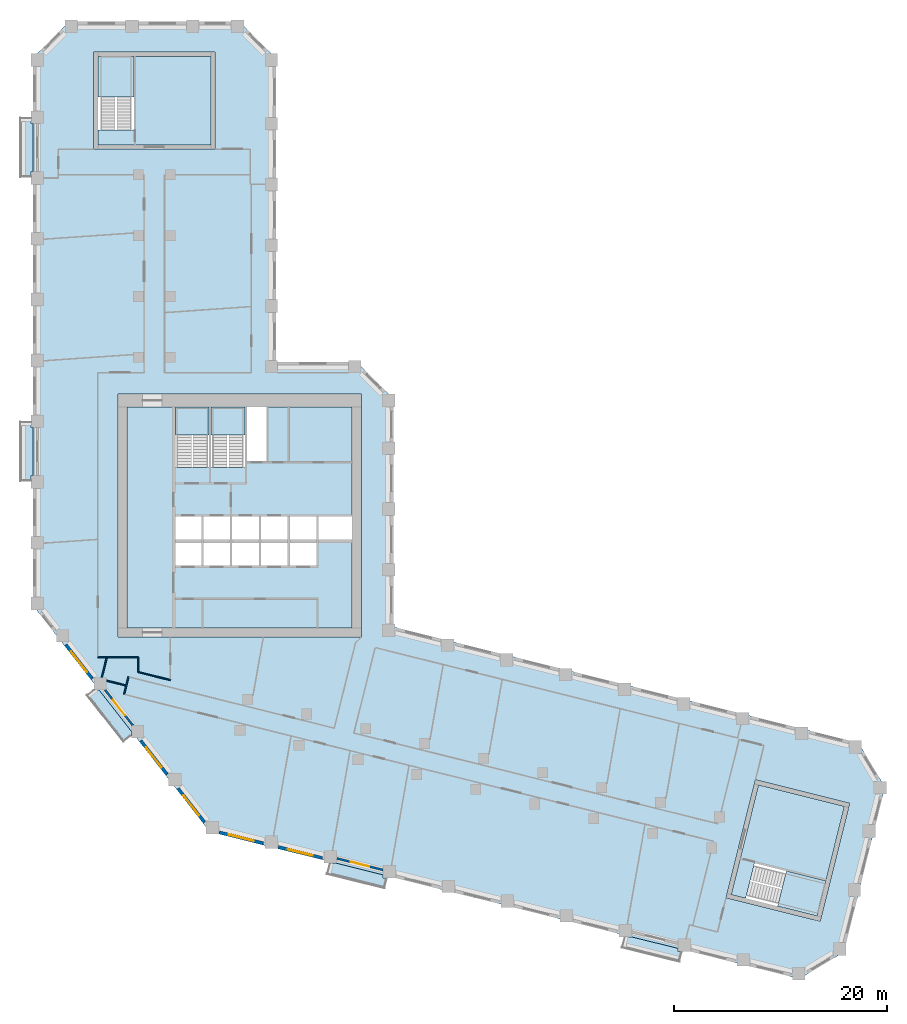
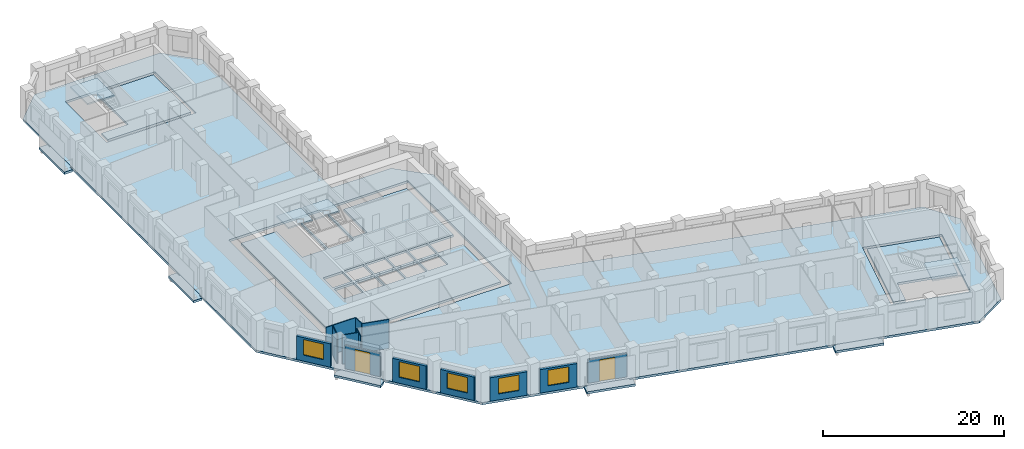
# One storey, part 2 of 10: 13 slabs, 13 walls, 5 windows, 2 doors, 7 openings, 4 elements without a shape of their own.
"""IFC4 building model written with IfcOpenShell, lengths in metres."""

from ifc_helpers import new_model, si_unit, direction, frame, frame_2d, origin, place, context, subcontext, project, spatial, polyline, rectangle, outline, extrude, material, layer, layer_set, type_object, element, fill, aggregate, save


model = new_model("IFC4")

# Units and contexts
model_context = context("Model", 3, precision=1e-05, world=origin(), true_north=direction((0.0, 1.0)))
body_context = subcontext(model_context, "Body", "Model", "MODEL_VIEW")
ifc_project = project(units=[si_unit("LENGTHUNIT", "METRE"), si_unit("AREAUNIT", "SQUARE_METRE"), si_unit("VOLUMEUNIT", "CUBIC_METRE"), si_unit("PLANEANGLEUNIT", "RADIAN"), si_unit("MASSUNIT", "GRAM", prefix="KILO")], contexts=[model_context])

# Site, building, storey
site_placement = place(None, origin())
site = spatial("IfcSite", under=ifc_project, at=site_placement, CompositionType="ELEMENT")
building_placement = place(site_placement, origin())
building = spatial("IfcBuilding", under=site, at=building_placement, Name="Meshkara Civic Tower", CompositionType="ELEMENT")
storey_placement = place(building_placement, frame((0.0, 0.0, 203.39990234375)))
storey = spatial("IfcBuildingStorey", under=building, at=storey_placement, Name="L46", CompositionType="ELEMENT", Elevation=203.39990234375)

# Slabs
ifc_material_1 = material(Name="Concrete C40", Category="concrete")
ifc_layer_1 = layer(ifc_material_1, 0.300048828125)
ifc_layer_set_1 = layer_set([ifc_layer_1], Name="BALCONY SLAB")
slab_type_1 = type_object("IfcSlabType", Name="BALCONY SLAB", PredefinedType="FLOOR", material=ifc_layer_set_1)
slab_1_placement = place(storey_placement, frame((0.0, 0.0, -0.2998046875)))
element("IfcSlab", 1, at=slab_1_placement, inside=storey, type_object=slab_type_1, Name="Balcony slab", PredefinedType="FLOOR", context=body_context, shape_type="SweptSolid", body=[
    extrude(outline(polyline([(-1.199951171875, 57.215087890625), (-1.199951171875, 62.794921875), (-0.14990234375, 62.794921875), (-0.14990234375, 62.2548828125), (0.0, 62.2548828125), (0.0, 57.7548828125), (-0.14990234375, 57.7548828125), (-0.14990234375, 57.215087890625), (-1.199951171875, 57.215087890625)])), origin(), (0.0, 0.0, 1.0), 0.2998046875),
])
slab_2_placement = place(storey_placement, frame((0.0, 0.0, -0.2998046875)))
element("IfcSlab", 2, at=slab_2_placement, inside=storey, type_object=slab_type_1, Name="Balcony slab", PredefinedType="FLOOR", context=body_context, shape_type="SweptSolid", body=[
    extrude(outline(polyline([(-1.199951171875, 28.715087890625), (-1.199951171875, 34.294921875), (-0.14990234375, 34.294921875), (-0.14990234375, 33.7548828125), (0.0, 33.7548828125), (0.0, 29.2548828125), (-0.14990234375, 29.2548828125), (-0.14990234375, 28.715087890625), (-1.199951171875, 28.715087890625)])), origin(), (0.0, 0.0, 1.0), 0.2998046875),
])
slab_3_placement = place(storey_placement, frame((0.0, 0.0, -0.2998046875)))
element("IfcSlab", 3, at=slab_3_placement, inside=storey, type_object=slab_type_1, Name="Balcony slab", PredefinedType="FLOOR", context=body_context, shape_type="SweptSolid", body=[
    extrude(outline(polyline([(8.49609375, 4.27587890625), (5.06005859375, 8.674072265625), (5.722900390625, 9.19189453125), (5.722900390625, 9.136962890625), (6.220947265625, 9.136962890625), (9.23291015625, 5.281982421875), (9.23291015625, 4.85205078125), (8.49609375, 4.27587890625)])), origin(), (0.0, 0.0, 1.0), 0.2998046875),
])
slab_4_placement = place(storey_placement, frame((0.0, 0.0, -0.2998046875)))
element("IfcSlab", 4, at=slab_4_placement, inside=storey, type_object=slab_type_1, Name="Balcony slab", PredefinedType="FLOOR", context=body_context, shape_type="SweptSolid", body=[
    extrude(outline(polyline([(32.986083984375, -9.4609375), (27.571044921875, -8.111083984375), (27.823974609375, -7.095947265625), (28.4599609375, -7.095947265625), (32.843017578125, -8.18896484375), (32.843017578125, -8.47509765625), (33.23193359375, -8.47509765625), (32.986083984375, -9.4609375)])), origin(), (0.0, 0.0, 1.0), 0.2998046875),
])
slab_5_placement = place(storey_placement, frame((0.0, 0.0, -0.2998046875)))
element("IfcSlab", 5, at=slab_5_placement, inside=storey, type_object=slab_type_1, Name="Balcony slab", PredefinedType="FLOOR", context=body_context, shape_type="SweptSolid", body=[
    extrude(outline(polyline([(60.639892578125, -16.35595703125), (55.22509765625, -15.006103515625), (55.47802734375, -13.989990234375), (56.112060546875, -13.989990234375), (60.4970703125, -15.0830078125), (60.4970703125, -15.368896484375), (60.885986328125, -15.368896484375), (60.639892578125, -16.35595703125)])), origin(), (0.0, 0.0, 1.0), 0.2998046875),
])
ifc_material_2 = material(Name="Concrete C40/50", Category="concrete")
ifc_layer_2 = layer(ifc_material_2, 0.300048828125)
ifc_layer_set_2 = layer_set([ifc_layer_2], Name="Core floor slab 300 C40/50")
slab_type_2 = type_object("IfcSlabType", Name="Core floor slab 300 C40/50", PredefinedType="FLOOR", material=ifc_layer_set_2)
slab_6_placement = place(storey_placement, frame((0.0, 0.0, -0.2998046875)))
element("IfcSlab", 6, at=slab_6_placement, inside=storey, type_object=slab_type_2, Name="Core floor K", PredefinedType="FLOOR", context=body_context, shape_type="SweptSolid", body=[
    extrude(outline(polyline([(8.85009765625, 35.699951171875), (13.3701171875, 35.699951171875), (13.3701171875, 30.00146484375), (16.5, 30.00146484375), (16.5, 35.699951171875), (16.699951171875, 35.699951171875), (16.699951171875, 30.00146484375), (19.89990234375, 30.00146484375), (19.89990234375, 35.699951171875), (20.10009765625, 35.699951171875), (20.10009765625, 30.574951171875), (21.925048828125, 30.574951171875), (21.925048828125, 35.699951171875), (29.949951171875, 35.699951171875), (29.949951171875, 25.39990234375), (26.800048828125, 25.39990234375), (26.800048828125, 23.27001953125), (29.949951171875, 23.27001953125), (29.949951171875, 14.949951171875), (8.85009765625, 14.949951171875), (8.85009765625, 35.699951171875)]), holes=[polyline([(15.800048828125, 22.929931640625), (13.3701171875, 22.929931640625), (13.3701171875, 20.800048828125), (15.800048828125, 20.800048828125), (15.800048828125, 22.929931640625)]), polyline([(16.0, 22.929931640625), (16.0, 20.800048828125), (18.5, 20.800048828125), (18.5, 22.929931640625), (16.0, 22.929931640625)]), polyline([(18.699951171875, 22.929931640625), (18.699951171875, 20.800048828125), (21.199951171875, 20.800048828125), (21.199951171875, 22.929931640625), (18.699951171875, 22.929931640625)]), polyline([(15.800048828125, 23.27001953125), (15.800048828125, 25.39990234375), (13.3701171875, 25.39990234375), (13.3701171875, 23.27001953125), (15.800048828125, 23.27001953125)]), polyline([(16.0, 25.39990234375), (16.0, 23.27001953125), (18.5, 23.27001953125), (18.5, 25.39990234375), (16.0, 25.39990234375)]), polyline([(23.89990234375, 20.800048828125), (23.89990234375, 22.929931640625), (21.39990234375, 22.929931640625), (21.39990234375, 20.800048828125), (23.89990234375, 20.800048828125)]), polyline([(24.10009765625, 20.800048828125), (26.60009765625, 20.800048828125), (26.60009765625, 22.929931640625), (24.10009765625, 22.929931640625), (24.10009765625, 20.800048828125)]), polyline([(18.699951171875, 25.39990234375), (18.699951171875, 23.27001953125), (21.199951171875, 23.27001953125), (21.199951171875, 25.39990234375), (18.699951171875, 25.39990234375)]), polyline([(21.39990234375, 23.27001953125), (23.89990234375, 23.27001953125), (23.89990234375, 25.39990234375), (21.39990234375, 25.39990234375), (21.39990234375, 23.27001953125)]), polyline([(24.10009765625, 23.27001953125), (26.60009765625, 23.27001953125), (26.60009765625, 25.39990234375), (24.10009765625, 25.39990234375), (24.10009765625, 23.27001953125)])]), origin(), (0.0, 0.0, 1.0), 0.2998046875),
])
slab_7_placement = place(storey_placement, frame((0.0, 0.0, -0.2998046875)))
element("IfcSlab", 7, at=slab_7_placement, inside=storey, type_object=slab_type_2, Name="Core floor EA", PredefinedType="FLOOR", context=body_context, shape_type="SweptSolid", body=[
    extrude(outline(polyline([(16.699951171875, 60.27001953125), (16.699951171875, 68.570068359375), (9.5, 68.570068359375), (9.5, 61.67138671875), (6.10009765625, 61.67138671875), (6.10009765625, 60.27001953125), (16.699951171875, 60.27001953125)])), origin(), (0.0, 0.0, 1.0), 0.2998046875),
])
slab_8_placement = place(storey_placement, frame((0.0, 0.0, -0.2998046875)))
element("IfcSlab", 8, at=slab_8_placement, inside=storey, type_object=slab_type_2, Name="Core floor EB", PredefinedType="FLOOR", context=body_context, shape_type="SweptSolid", body=[
    extrude(outline(polyline([(68.050537109375, 0.244384765625), (76.10400390625, -1.763671875), (74.362060546875, -8.749755859375), (67.66845703125, -7.080810546875), (66.845947265625, -10.3798828125), (65.486083984375, -10.040771484375), (68.050537109375, 0.244384765625)])), origin(), (0.0, 0.0, 1.0), 0.2998046875),
])

# Stair, slab
ifc_material_3 = material(Name="Precast concrete C40/50", Category="concrete")
stair_type = type_object("IfcStairType", Name="Exit stair half-turn 24 risers precast", PredefinedType="HALF_TURN_STAIR", material=ifc_material_3)
stair_1_placement = place(storey_placement, origin())
stair_1 = element("IfcStair", 9, at=stair_1_placement, inside=storey, type_object=stair_type, Name="L46 exit stair 1", PredefinedType="HALF_TURN_STAIR")
ifc_material_4 = material(Name="Precast concrete C40/50", Category="concrete")
ifc_layer_3 = layer(ifc_material_4, 0.199951171875)
ifc_layer_set_3 = layer_set([ifc_layer_3], Name="Exit stair landing 200")
slab_type_3 = type_object("IfcSlabType", Name="Exit stair landing 200", PredefinedType="LANDING", material=ifc_layer_set_3)
slab_9_placement = place(storey_placement, frame((0.0, 0.0, 1.900146484375)))
slab_9 = element("IfcSlab", 10, at=slab_9_placement, type_object=slab_type_3, Name="ST1 landing 1", PredefinedType="LANDING", context=body_context, shape_type="SweptSolid", body=[
    extrude(outline(polyline([(16.5, 33.07861328125), (16.5, 35.699951171875), (13.3701171875, 35.699951171875), (13.3701171875, 33.07861328125), (16.5, 33.07861328125)])), origin(), (0.0, 0.0, 1.0), 0.199951171875),
])
aggregate(stair_1, [slab_9])

stair_2_placement = place(storey_placement, origin())
stair_2 = element("IfcStair", 11, at=stair_2_placement, inside=storey, type_object=stair_type, Name="L46 exit stair 2", PredefinedType="HALF_TURN_STAIR")
slab_10_placement = place(storey_placement, frame((0.0, 0.0, 1.900146484375)))
slab_10 = element("IfcSlab", 12, at=slab_10_placement, type_object=slab_type_3, Name="ST2 landing 1", PredefinedType="LANDING", context=body_context, shape_type="SweptSolid", body=[
    extrude(outline(polyline([(19.89990234375, 33.07861328125), (19.89990234375, 35.699951171875), (16.699951171875, 35.699951171875), (16.699951171875, 33.07861328125), (19.89990234375, 33.07861328125)])), origin(), (0.0, 0.0, 1.0), 0.199951171875),
])
aggregate(stair_2, [slab_10])

stair_3_placement = place(storey_placement, origin())
stair_3 = element("IfcStair", 13, at=stair_3_placement, inside=storey, type_object=stair_type, Name="L46 exit stair A from L35", PredefinedType="HALF_TURN_STAIR")
slab_11_placement = place(storey_placement, frame((0.0, 0.0, 1.900146484375)))
slab_11 = element("IfcSlab", 14, at=slab_11_placement, type_object=slab_type_3, Name="ESA3 landing 1", PredefinedType="LANDING", context=body_context, shape_type="SweptSolid", body=[
    extrude(outline(polyline([(9.5, 64.74853515625), (9.5, 68.570068359375), (6.10009765625, 68.570068359375), (6.10009765625, 64.74853515625), (9.5, 64.74853515625)])), origin(), (0.0, 0.0, 1.0), 0.199951171875),
])
aggregate(stair_3, [slab_11])

stair_4_placement = place(storey_placement, origin())
stair_4 = element("IfcStair", 15, at=stair_4_placement, inside=storey, type_object=stair_type, Name="L46 exit stair B from L35", PredefinedType="HALF_TURN_STAIR")
slab_12_placement = place(storey_placement, frame((0.0, 0.0, 1.900146484375)))
slab_12 = element("IfcSlab", 16, at=slab_12_placement, type_object=slab_type_3, Name="ESB3 landing 1", PredefinedType="LANDING", context=body_context, shape_type="SweptSolid", body=[
    extrude(outline(polyline([(69.831298828125, -11.124755859375), (73.5400390625, -12.049072265625), (74.3623046875, -8.7490234375), (70.653564453125, -7.82470703125), (69.831298828125, -11.124755859375)])), origin(), (0.0, 0.0, 1.0), 0.199951171875),
])
aggregate(stair_4, [slab_12])

# Slab
ifc_material_5 = material(Name="Concrete C50", Category="concrete")
ifc_layer_4 = layer(ifc_material_5, 0.300048828125)
ifc_layer_set_4 = layer_set([ifc_layer_4], Name="Post-tensioned flat slab 300 C50")
slab_type_4 = type_object("IfcSlabType", Name="Post-tensioned flat slab 300 C50", PredefinedType="FLOOR", material=ifc_layer_set_4)
slab_13_placement = place(storey_placement, frame((0.0, 0.0, -0.2998046875)))
element("IfcSlab", 17, at=slab_13_placement, inside=storey, type_object=slab_type_4, Name="Post-tensioned flat slab L46", PredefinedType="FLOOR", context=body_context, shape_type="SweptSolid", body=[
    extrude(outline(polyline([(76.044921875, -15.43505859375), (71.89892578125, -17.926025390625), (16.592041015625, -4.136962890625), (0.0, 17.10009765625), (0.0, 68.39990234375), (3.419921875, 71.820068359375), (19.3798828125, 71.820068359375), (22.800048828125, 68.39990234375), (22.800048828125, 39.89990234375), (30.3798828125, 39.89990234375), (33.800048828125, 36.47998046875), (33.800048828125, 15.071044921875), (77.4150390625, 4.196044921875), (79.906005859375, 0.051025390625), (76.044921875, -15.43505859375)]), holes=[polyline([(73.8310546875, -12.533935546875), (76.589111328125, -1.471923828125), (67.759033203125, 0.72900390625), (65.0009765625, -10.33203125), (73.8310546875, -12.533935546875)]), polyline([(8.0, 14.10009765625), (30.800048828125, 14.10009765625), (30.800048828125, 36.89990234375), (8.0, 36.89990234375), (8.0, 14.10009765625)]), polyline([(5.699951171875, 68.969970703125), (5.699951171875, 59.8701171875), (17.10009765625, 59.8701171875), (17.10009765625, 68.969970703125), (5.699951171875, 68.969970703125)])]), origin(), (0.0, 0.0, 1.0), 0.2998046875),
])

# Walls
ifc_material_6 = material(Name="Corridor wall 100")
ifc_layer_5 = layer(ifc_material_6, 0.10009765625)
ifc_layer_set_5 = layer_set([ifc_layer_5], Name="Corridor wall 100")
wall_type_1 = type_object("IfcWallType", Name="Corridor wall 100", PredefinedType="PARTITIONING", material=ifc_layer_set_5)
wall_1_placement = place(storey_placement, frame((6.10009765625, 12.199951171875, 0.0), z_axis=(0.0, 0.0, 1.0), x_axis=(1.0, 0.0, 0.0)))
element("IfcWall", 18, at=wall_1_placement, inside=storey, type_object=wall_type_1, Name="L46-W004", PredefinedType="PARTITIONING", context=body_context, shape_type="SweptSolid", body=[
    extrude(rectangle(XDim=3.7998046875, YDim=0.10009765625, at=frame_2d((1.89990234375, 0.0))), origin(), (0.0, 0.0, 1.0), 3.900146484375),
])
wall_2_placement = place(storey_placement, frame((8.972900390625, 10.382080078125, 0.0), z_axis=(0.0, 0.0, 1.0), x_axis=(-0.241650823739, -0.970363271866, 0.0)))
element("IfcWall", 19, at=wall_2_placement, inside=storey, type_object=wall_type_1, Name="L46-W008", PredefinedType="PARTITIONING", context=body_context, shape_type="SweptSolid", body=[
    extrude(rectangle(XDim=1.688232421875, YDim=0.10009765625, at=frame_2d((0.84423828125, 0.0))), origin(), (0.0, 0.0, 1.0), 3.900146484375),
])
wall_3_placement = place(storey_placement, frame((9.89990234375, 10.825927734375, 0.0), z_axis=(0.0, 0.0, 1.0), x_axis=(0.970290953223, -0.241941038466, 0.0)))
element("IfcWall", 20, at=wall_3_placement, inside=storey, type_object=wall_type_1, Name="L46-W009", PredefinedType="PARTITIONING", context=body_context, shape_type="SweptSolid", body=[
    extrude(rectangle(XDim=3.091796875, YDim=0.10009765625, at=frame_2d((1.5458984375, 0.0))), origin(), (0.0, 0.0, 1.0), 3.900146484375),
])
wall_4_placement = place(storey_placement, frame((9.89990234375, 12.199951171875, 0.0), z_axis=(0.0, 0.0, 1.0), x_axis=(0.0, -1.0, 0.0)))
element("IfcWall", 21, at=wall_4_placement, inside=storey, type_object=wall_type_1, Name="L46-W010", PredefinedType="PARTITIONING", context=body_context, shape_type="SweptSolid", body=[
    extrude(rectangle(XDim=1.3740234375, YDim=0.10009765625, at=frame_2d((0.68701171875, 0.0))), origin(), (0.0, 0.0, 1.0), 3.900146484375),
])

# Wall, opening, window
ifc_material_7 = material(Name="Insulated infill panel with bronze anodised aluminium cladding", Category="aluminium")
ifc_layer_6 = layer(ifc_material_7, 0.300048828125)
ifc_layer_set_6 = layer_set([ifc_layer_6], Name="EXTERNAL INFILL WALL 300")
wall_type_2 = type_object("IfcWallType", Name="EXTERNAL INFILL WALL 300", PredefinedType="SOLIDWALL", material=ifc_layer_set_6)
wall_5_placement = place(storey_placement, frame((3.095947265625, 13.381103515625, 0.0), z_axis=(0.0, 0.0, 1.0), x_axis=(0.615563820493, -0.78808704018, 0.0)))
wall_5 = element("IfcWall", 22, at=wall_5_placement, inside=storey, type_object=wall_type_2, Name="External wall", PredefinedType="SOLIDWALL", context=body_context, shape_type="SweptSolid", body=[
    extrude(rectangle(XDim=4.01611328125, YDim=0.300048828125, at=frame_2d((2.008056640625, 0.0))), origin(), (0.0, 0.0, 1.0), 3.150146484375),
])
opening_1_placement = place(wall_5_placement, frame((0.80810546875, 0.0, 0.800048828125)))
opening_1 = element("IfcOpeningElement", 23, at=opening_1_placement, cuts=wall_5, Name="Opening W7", PredefinedType="OPENING", context=body_context, shape_type="SweptSolid", body=[
    extrude(rectangle(XDim=2.39990234375, YDim=2.10009765625, at=frame_2d((1.199951171875, 1.050048828125))), frame((0.0, 0.159912109375, 0.0), z_axis=(0.0, -1.0, 0.0), x_axis=(1.0, 0.0, 0.0)), (0.0, 0.0, 1.0), 0.320068359375),
])
ifc_material_8 = material(Name="Tinted double glazing", Category="glass")
window_type = type_object("IfcWindowType", Name="WINDOW 2400x2100", PartitioningType="DOUBLE_PANEL_VERTICAL", PredefinedType="WINDOW", material=ifc_material_8)
window_1_placement = place(opening_1_placement, origin())
window_1 = element("IfcWindow", 24, at=window_1_placement, inside=storey, type_object=window_type, Name="Window", OverallHeight=2.10009765625, OverallWidth=2.39990234375, PartitioningType="DOUBLE_PANEL_VERTICAL", PredefinedType="WINDOW", context=body_context, shape_type="SweptSolid", body=[
    extrude(rectangle(XDim=2.39990234375, YDim=2.10009765625, at=frame_2d((1.199951171875, 1.050048828125))), frame((0.0, 0.030029296875, 0.0), z_axis=(0.0, -1.0, 0.0), x_axis=(1.0, 0.0, 0.0)), (0.0, 0.0, 1.0), 0.06005859375),
])
fill(opening_1, window_1)

wall_6_placement = place(storey_placement, frame((10.114990234375, 4.39697265625, 0.0), z_axis=(0.0, 0.0, 1.0), x_axis=(0.615644041972, -0.788024373725, 0.0)))
wall_6 = element("IfcWall", 25, at=wall_6_placement, inside=storey, type_object=wall_type_2, Name="External wall", PredefinedType="SOLIDWALL", context=body_context, shape_type="SweptSolid", body=[
    extrude(rectangle(XDim=4.01513671875, YDim=0.300048828125, at=frame_2d((2.007568359375, 0.0))), origin(), (0.0, 0.0, 1.0), 3.150146484375),
])
opening_2_placement = place(wall_6_placement, frame((0.806884765625, 0.0, 0.800048828125)))
opening_2 = element("IfcOpeningElement", 26, at=opening_2_placement, cuts=wall_6, Name="Opening W7", PredefinedType="OPENING", context=body_context, shape_type="SweptSolid", body=[
    extrude(rectangle(XDim=2.39990234375, YDim=2.10009765625, at=frame_2d((1.199951171875, 1.050048828125))), frame((0.0, 0.159912109375, 0.0), z_axis=(0.0, -1.0, 0.0), x_axis=(1.0, 0.0, 0.0)), (0.0, 0.0, 1.0), 0.320068359375),
])
window_2_placement = place(opening_2_placement, origin())
window_2 = element("IfcWindow", 27, at=window_2_placement, inside=storey, type_object=window_type, Name="Window", OverallHeight=2.10009765625, OverallWidth=2.39990234375, PartitioningType="DOUBLE_PANEL_VERTICAL", PredefinedType="WINDOW", context=body_context, shape_type="SweptSolid", body=[
    extrude(rectangle(XDim=2.39990234375, YDim=2.10009765625, at=frame_2d((1.199951171875, 1.050048828125))), frame((0.0, 0.030029296875, 0.0), z_axis=(0.0, -1.0, 0.0), x_axis=(1.0, 0.0, 0.0)), (0.0, 0.0, 1.0), 0.06005859375),
])
fill(opening_2, window_2)

wall_7_placement = place(storey_placement, frame((13.6240234375, -0.093994140625, 0.0), z_axis=(0.0, 0.0, 1.0), x_axis=(0.615526062586, -0.7881165309, 0.0)))
wall_7 = element("IfcWall", 28, at=wall_7_placement, inside=storey, type_object=wall_type_2, Name="External wall", PredefinedType="SOLIDWALL", context=body_context, shape_type="SweptSolid", body=[
    extrude(rectangle(XDim=4.015869140625, YDim=0.300048828125, at=frame_2d((2.0078125, 0.0))), origin(), (0.0, 0.0, 1.0), 3.150146484375),
])
opening_3_placement = place(wall_7_placement, frame((0.80810546875, 0.0, 0.800048828125)))
opening_3 = element("IfcOpeningElement", 29, at=opening_3_placement, cuts=wall_7, Name="Opening W7", PredefinedType="OPENING", context=body_context, shape_type="SweptSolid", body=[
    extrude(rectangle(XDim=2.39990234375, YDim=2.10009765625, at=frame_2d((1.199951171875, 1.050048828125))), frame((0.0, 0.159912109375, 0.0), z_axis=(0.0, -1.0, 0.0), x_axis=(1.0, 0.0, 0.0)), (0.0, 0.0, 1.0), 0.320068359375),
])
window_3_placement = place(opening_3_placement, origin())
window_3 = element("IfcWindow", 30, at=window_3_placement, inside=storey, type_object=window_type, Name="Window", OverallHeight=2.10009765625, OverallWidth=2.39990234375, PartitioningType="DOUBLE_PANEL_VERTICAL", PredefinedType="WINDOW", context=body_context, shape_type="SweptSolid", body=[
    extrude(rectangle(XDim=2.39990234375, YDim=2.10009765625, at=frame_2d((1.199951171875, 1.050048828125))), frame((0.0, 0.030029296875, 0.0), z_axis=(0.0, -1.0, 0.0), x_axis=(1.0, 0.0, 0.0)), (0.0, 0.0, 1.0), 0.06005859375),
])
fill(opening_3, window_3)

wall_8_placement = place(storey_placement, frame((17.48388671875, -4.205078125, 0.0), z_axis=(0.0, 0.0, 1.0), x_axis=(0.970318118028, -0.241832069473, 0.0)))
wall_8 = element("IfcWall", 31, at=wall_8_placement, inside=storey, type_object=wall_type_2, Name="External wall", PredefinedType="SOLIDWALL", context=body_context, shape_type="SweptSolid", body=[
    extrude(rectangle(XDim=4.24609375, YDim=0.300048828125, at=frame_2d((2.123046875, 0.0))), origin(), (0.0, 0.0, 1.0), 3.150146484375),
])
opening_4_placement = place(wall_8_placement, frame((0.923095703125, 0.0, 0.800048828125)))
opening_4 = element("IfcOpeningElement", 32, at=opening_4_placement, cuts=wall_8, Name="Opening W7", PredefinedType="OPENING", context=body_context, shape_type="SweptSolid", body=[
    extrude(rectangle(XDim=2.39990234375, YDim=2.10009765625, at=frame_2d((1.199951171875, 1.050048828125))), frame((0.0, 0.159912109375, 0.0), z_axis=(0.0, -1.0, 0.0), x_axis=(1.0, 0.0, 0.0)), (0.0, 0.0, 1.0), 0.320068359375),
])
window_4_placement = place(opening_4_placement, origin())
window_4 = element("IfcWindow", 33, at=window_4_placement, inside=storey, type_object=window_type, Name="Window", OverallHeight=2.10009765625, OverallWidth=2.39990234375, PartitioningType="DOUBLE_PANEL_VERTICAL", PredefinedType="WINDOW", context=body_context, shape_type="SweptSolid", body=[
    extrude(rectangle(XDim=2.39990234375, YDim=2.10009765625, at=frame_2d((1.199951171875, 1.050048828125))), frame((0.0, 0.030029296875, 0.0), z_axis=(0.0, -1.0, 0.0), x_axis=(1.0, 0.0, 0.0)), (0.0, 0.0, 1.0), 0.06005859375),
])
fill(opening_4, window_4)

wall_9_placement = place(storey_placement, frame((23.014892578125, -5.583984375, 0.0), z_axis=(0.0, 0.0, 1.0), x_axis=(0.970291164166, -0.241940192487, 0.0)))
wall_9 = element("IfcWall", 34, at=wall_9_placement, inside=storey, type_object=wall_type_2, Name="External wall", PredefinedType="SOLIDWALL", context=body_context, shape_type="SweptSolid", body=[
    extrude(rectangle(XDim=4.245361328125, YDim=0.300048828125, at=frame_2d((2.12255859375, 0.0))), origin(), (0.0, 0.0, 1.0), 3.150146484375),
])
opening_5_placement = place(wall_9_placement, frame((0.922119140625, 0.0, 0.800048828125)))
opening_5 = element("IfcOpeningElement", 35, at=opening_5_placement, cuts=wall_9, Name="Opening W7", PredefinedType="OPENING", context=body_context, shape_type="SweptSolid", body=[
    extrude(rectangle(XDim=2.39990234375, YDim=2.10009765625, at=frame_2d((1.199951171875, 1.050048828125))), frame((0.0, 0.159912109375, 0.0), z_axis=(0.0, -1.0, 0.0), x_axis=(1.0, 0.0, 0.0)), (0.0, 0.0, 1.0), 0.320068359375),
])
window_5_placement = place(opening_5_placement, origin())
window_5 = element("IfcWindow", 36, at=window_5_placement, inside=storey, type_object=window_type, Name="Window", OverallHeight=2.10009765625, OverallWidth=2.39990234375, PartitioningType="DOUBLE_PANEL_VERTICAL", PredefinedType="WINDOW", context=body_context, shape_type="SweptSolid", body=[
    extrude(rectangle(XDim=2.39990234375, YDim=2.10009765625, at=frame_2d((1.199951171875, 1.050048828125))), frame((0.0, 0.030029296875, 0.0), z_axis=(0.0, -1.0, 0.0), x_axis=(1.0, 0.0, 0.0)), (0.0, 0.0, 1.0), 0.06005859375),
])
fill(opening_5, window_5)

# Wall, opening, door
ifc_material_9 = material(Name="Insulated infill panel with bronze anodised aluminium cladding", Category="aluminium")
ifc_layer_7 = layer(ifc_material_9, 0.199951171875)
ifc_layer_set_7 = layer_set([ifc_layer_7], Name="LOGGIA BACK WALL 200")
wall_type_3 = type_object("IfcWallType", Name="LOGGIA BACK WALL 200", PredefinedType="SOLIDWALL", material=ifc_layer_set_7)
wall_10_placement = place(storey_placement, frame((6.79296875, 9.136962890625, 0.0), z_axis=(0.0, 0.0, 1.0), x_axis=(0.615521537177, -0.788120065264, 0.0)))
wall_10 = element("IfcWall", 37, at=wall_10_placement, inside=storey, type_object=wall_type_3, Name="Loggia wall", PredefinedType="SOLIDWALL", context=body_context, shape_type="SweptSolid", body=[
    extrude(rectangle(XDim=4.177001953125, YDim=0.199951171875, at=frame_2d((2.08837890625, 0.0))), origin(), (0.0, 0.0, 1.0), 3.150146484375),
])
opening_6_placement = place(wall_10_placement, frame((1.18798828125, 0.0, 0.0)))
opening_6 = element("IfcOpeningElement", 38, at=opening_6_placement, cuts=wall_10, Name="Opening L46-L003", PredefinedType="OPENING", context=body_context, shape_type="SweptSolid", body=[
    extrude(rectangle(XDim=1.800048828125, YDim=2.89990234375, at=frame_2d((0.89990234375, 1.449951171875))), frame((0.0, 0.10986328125, 0.0), z_axis=(0.0, -1.0, 0.0), x_axis=(1.0, 0.0, 0.0)), (0.0, 0.0, 1.0), 0.219970703125),
])
ifc_material_10 = material(Name="Tinted double glazing", Category="glass")
door_type = type_object("IfcDoorType", Name="LOGGIA DOOR 1800x2900", OperationType="DOUBLE_DOOR_SINGLE_SWING", PredefinedType="DOOR", material=ifc_material_10)
door_1_placement = place(opening_6_placement, origin())
door_1 = element("IfcDoor", 39, at=door_1_placement, inside=storey, type_object=door_type, Name="L46-L003", OperationType="DOUBLE_DOOR_SINGLE_SWING", OverallHeight=2.89990234375, OverallWidth=1.800048828125, PredefinedType="DOOR", context=body_context, shape_type="SweptSolid", body=[
    extrude(rectangle(XDim=1.800048828125, YDim=2.89990234375, at=frame_2d((0.89990234375, 1.449951171875))), frame((0.0, 0.02490234375, 0.0), z_axis=(0.0, -1.0, 0.0), x_axis=(1.0, 0.0, 0.0)), (0.0, 0.0, 1.0), 0.050048828125),
])
fill(opening_6, door_1)

wall_11_placement = place(storey_placement, frame((28.511962890625, -6.64501953125, 0.0), z_axis=(0.0, 0.0, 1.0), x_axis=(0.970283897632, -0.241969332758, 0.0)))
wall_11 = element("IfcWall", 40, at=wall_11_placement, inside=storey, type_object=wall_type_3, Name="Loggia wall", PredefinedType="SOLIDWALL", context=body_context, shape_type="SweptSolid", body=[
    extrude(rectangle(XDim=4.463623046875, YDim=0.199951171875, at=frame_2d((2.23193359375, 0.0))), origin(), (0.0, 0.0, 1.0), 3.150146484375),
])
opening_7_placement = place(wall_11_placement, frame((1.3310546875, 0.0, 0.0)))
opening_7 = element("IfcOpeningElement", 41, at=opening_7_placement, cuts=wall_11, Name="Opening L46-L004", PredefinedType="OPENING", context=body_context, shape_type="SweptSolid", body=[
    extrude(rectangle(XDim=1.800048828125, YDim=2.89990234375, at=frame_2d((0.89990234375, 1.449951171875))), frame((0.0, 0.10986328125, 0.0), z_axis=(0.0, -1.0, 0.0), x_axis=(1.0, 0.0, 0.0)), (0.0, 0.0, 1.0), 0.219970703125),
])
door_2_placement = place(opening_7_placement, origin())
door_2 = element("IfcDoor", 42, at=door_2_placement, inside=storey, type_object=door_type, Name="L46-L004", OperationType="DOUBLE_DOOR_SINGLE_SWING", OverallHeight=2.89990234375, OverallWidth=1.800048828125, PredefinedType="DOOR", context=body_context, shape_type="SweptSolid", body=[
    extrude(rectangle(XDim=1.800048828125, YDim=2.89990234375, at=frame_2d((0.89990234375, 1.449951171875))), frame((0.0, 0.02490234375, 0.0), z_axis=(0.0, -1.0, 0.0), x_axis=(1.0, 0.0, 0.0)), (0.0, 0.0, 1.0), 0.050048828125),
])
fill(opening_7, door_2)

# Walls
ifc_material_11 = material(Name="Partition 100")
ifc_layer_8 = layer(ifc_material_11, 0.10009765625)
ifc_layer_set_8 = layer_set([ifc_layer_8], Name="Partition 100")
wall_type_4 = type_object("IfcWallType", Name="Partition 100", PredefinedType="PARTITIONING", material=ifc_layer_set_8)
wall_12_placement = place(storey_placement, frame((6.922119140625, 12.137939453125, 0.0), z_axis=(0.0, 0.0, 1.0), x_axis=(-0.242504681353, -0.970150235542, 0.0)))
element("IfcWall", 43, at=wall_12_placement, inside=storey, type_object=wall_type_4, Name="L46-W037", PredefinedType="PARTITIONING", context=body_context, shape_type="SweptSolid", body=[
    extrude(rectangle(XDim=1.8564453125, YDim=0.10009765625, at=frame_2d((0.92822265625, 0.0))), origin(), (0.0, 0.0, 1.0), 3.900146484375),
])
wall_13_placement = place(storey_placement, frame((8.719970703125, 9.573974609375, 0.0), z_axis=(0.0, 0.0, 1.0), x_axis=(-0.97017350799, 0.242411559945, 0.0)))
element("IfcWall", 44, at=wall_13_placement, inside=storey, type_object=wall_type_4, Name="L46-W038", PredefinedType="PARTITIONING", context=body_context, shape_type="SweptSolid", body=[
    extrude(rectangle(XDim=1.85205078125, YDim=0.10009765625, at=frame_2d((0.926025390625, 0.0))), origin(), (0.0, 0.0, 1.0), 3.900146484375),
])

save(model, "model.ifc")
